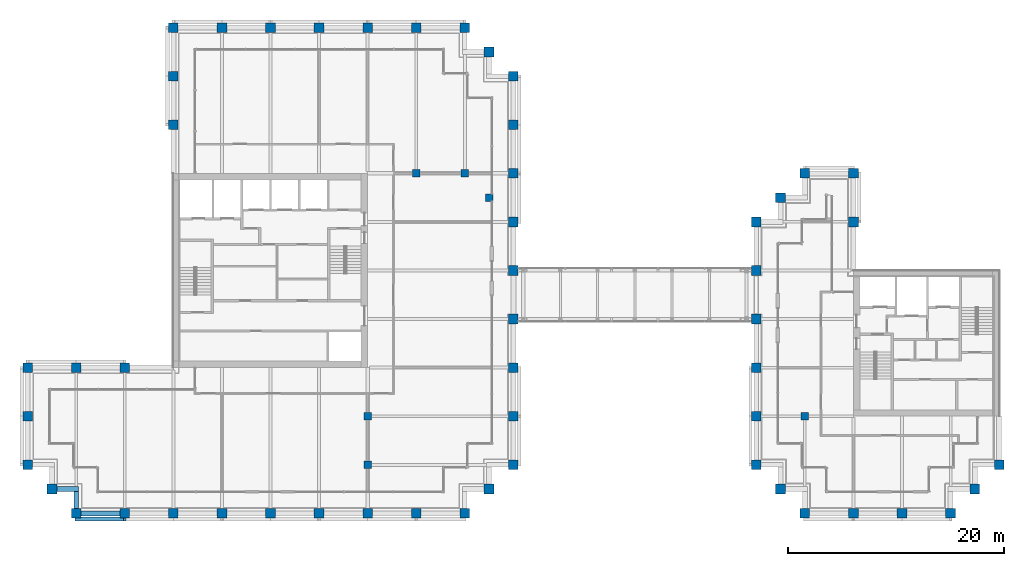
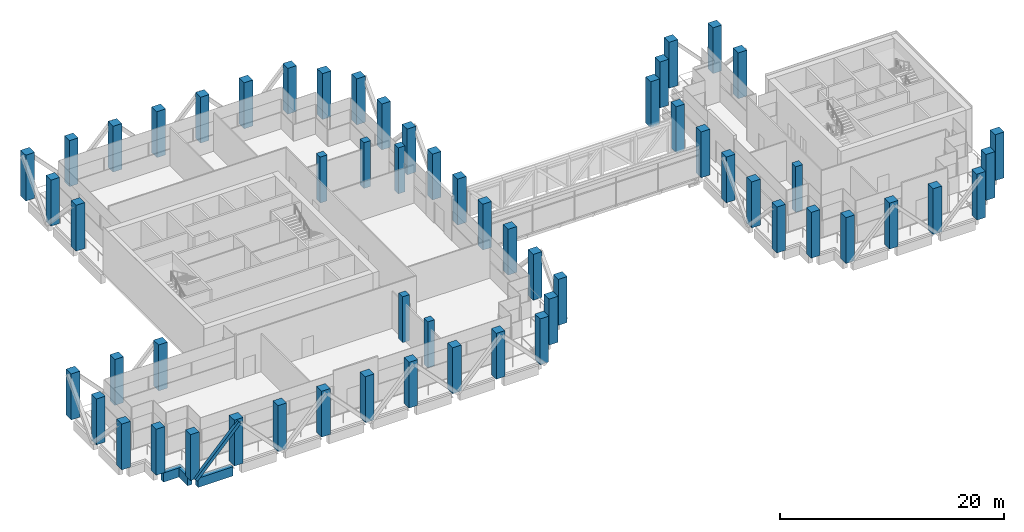
# One storey, part 1 of 34: 58 columns, 3 beams, 1 member.
"""IFC4 building model written with IfcOpenShell, lengths in metres."""

from ifc_helpers import new_model, si_unit, direction, frame, origin, origin_2d, place, context, subcontext, project, spatial, rectangle, hollow_rectangle, extrude, material, material_profile, profile_set, type_object, element, save


model = new_model("IFC4")

# Units and contexts
model_context = context("Model", 3, precision=1e-05, world=origin(), true_north=direction((0.0, 1.0)))
body_context = subcontext(model_context, "Body", "Model", "MODEL_VIEW")
ifc_project = project(units=[si_unit("LENGTHUNIT", "METRE"), si_unit("AREAUNIT", "SQUARE_METRE"), si_unit("VOLUMEUNIT", "CUBIC_METRE"), si_unit("PLANEANGLEUNIT", "RADIAN"), si_unit("MASSUNIT", "GRAM", prefix="KILO")], contexts=[model_context])

# Site, building, storey
site_placement = place(None, origin())
site = spatial("IfcSite", under=ifc_project, at=site_placement, CompositionType="ELEMENT")
building_placement = place(site_placement, origin())
building = spatial("IfcBuilding", under=site, at=building_placement, Name="Altepetl Exchange Towers", CompositionType="ELEMENT")
storey_placement = place(building_placement, frame((0.0, 0.0, 190.60009765625)))
storey = spatial("IfcBuildingStorey", under=building, at=storey_placement, Name="L48 Refuge", CompositionType="ELEMENT", Elevation=190.60009765625)

# Columns
ifc_material_1 = material(Name="Concrete C70/85", Category="concrete")
ifc_material_profile_1 = material_profile(ifc_material_1, rectangle(XDim=0.699951171875, YDim=0.699951171875, at=origin_2d()), Name="700 x 700")
ifc_profile_set_1 = profile_set([ifc_material_profile_1], Name="Concrete C70/85")
column_type_1 = type_object("IfcColumnType", Name="Interior column 700", PredefinedType="COLUMN", material=ifc_profile_set_1)
for number, where, name in (
    (1, (58.5, 31.5, 0.0), "col:A:L48:035"),
    (2, (58.5, 36.0, 0.0), "col:A:L48:036"),
    (3, (63.0, 58.5, 0.0), "col:A:L48:037"),
    (4, (67.5, 58.5, 0.0), "col:A:L48:038"),
    (5, (69.75, 56.25, 0.0), "col:A:L48:039"),
    (6, (99.0, 36.0, 0.0), "col:B:L48:017"),
):
    element("IfcColumn", number, at=place(storey_placement, frame(where)), inside=storey, type_object=column_type_1, Name=name, PredefinedType="COLUMN", context=body_context, shape_type="SweptSolid", body=[
        extrude(rectangle(XDim=0.699951171875, YDim=0.699951171875, at=origin_2d()), origin(), (0.0, 0.0, 1.0), 5.0),
    ])
ifc_material_2 = material(Name="Concrete C70/85 precast with cantera amarilla facing", Category="concrete")
ifc_material_profile_2 = material_profile(ifc_material_2, rectangle(XDim=0.89990234375, YDim=0.89990234375, at=origin_2d()), Name="900 x 900")
ifc_profile_set_2 = profile_set([ifc_material_profile_2], Name="Concrete C70/85 precast with cantera amarilla facing")
column_type_2 = type_object("IfcColumnType", Name="Perimeter column 900 cantera amarilla", PredefinedType="COLUMN", material=ifc_profile_set_2)
for number, where, name in (
    (7, (58.5, 27.0, 0.0), "col:A:L48:006"),
    (8, (63.0, 27.0, 0.0), "col:A:L48:007"),
    (9, (67.5, 27.0, 0.0), "col:A:L48:008"),
    (10, (69.75, 29.25, 0.0), "col:A:L48:009"),
    (11, (72.0, 31.5, 0.0), "col:A:L48:010"),
    (12, (72.0, 36.0, 0.0), "col:A:L48:011"),
    (13, (72.0, 40.5, 0.0), "col:A:L48:012"),
    (14, (72.0, 45.0, 0.0), "col:A:L48:013"),
    (15, (72.0, 49.5, 0.0), "col:A:L48:014"),
    (16, (72.0, 54.0, 0.0), "col:A:L48:015"),
):
    element("IfcColumn", number, at=place(storey_placement, frame(where)), inside=storey, type_object=column_type_2, Name=name, PredefinedType="COLUMN", context=body_context, shape_type="SweptSolid", body=[
        extrude(rectangle(XDim=0.89990234375, YDim=0.89990234375, at=origin_2d()), origin(), (0.0, 0.0, 1.0), 5.0),
    ])
ifc_material_3 = material(Name="Concrete C70/85 precast with cantera blanca facing", Category="concrete")
ifc_material_profile_3 = material_profile(ifc_material_3, rectangle(XDim=0.89990234375, YDim=0.89990234375, at=origin_2d()), Name="900 x 900")
ifc_profile_set_3 = profile_set([ifc_material_profile_3], Name="Concrete C70/85 precast with cantera blanca facing")
column_type_3 = type_object("IfcColumnType", Name="Perimeter column 900 cantera blanca", PredefinedType="COLUMN", material=ifc_profile_set_3)
for number, where, name in (
    (17, (31.5, 27.0, 0.0), "col:A:L48:000"),
    (18, (36.0, 27.0, 0.0), "col:A:L48:001"),
    (19, (40.5, 27.0, 0.0), "col:A:L48:002"),
    (20, (45.0, 27.0, 0.0), "col:A:L48:003"),
    (21, (49.5, 27.0, 0.0), "col:A:L48:004"),
    (22, (54.0, 27.0, 0.0), "col:A:L48:005"),
    (23, (27.0, 36.0, 0.0), "col:A:L48:032"),
    (24, (27.0, 31.5, 0.0), "col:A:L48:033"),
    (25, (29.25, 29.25, 0.0), "col:A:L48:034"),
    (26, (117.0, 31.5, 0.0), "col:B:L48:005"),
):
    element("IfcColumn", number, at=place(storey_placement, frame(where)), inside=storey, type_object=column_type_3, Name=name, PredefinedType="COLUMN", context=body_context, shape_type="SweptSolid", body=[
        extrude(rectangle(XDim=0.89990234375, YDim=0.89990234375, at=origin_2d()), origin(), (0.0, 0.0, 1.0), 5.0),
    ])
ifc_material_4 = material(Name="Concrete C70/85 precast with cantera rosa facing", Category="concrete")
ifc_material_profile_4 = material_profile(ifc_material_4, rectangle(XDim=0.89990234375, YDim=0.89990234375, at=origin_2d()), Name="900 x 900")
ifc_profile_set_4 = profile_set([ifc_material_profile_4], Name="Concrete C70/85 precast with cantera rosa facing")
column_type_4 = type_object("IfcColumnType", Name="Perimeter column 900 cantera rosa", PredefinedType="COLUMN", material=ifc_profile_set_4)
for number, where, name in (
    (27, (72.0, 58.5, 0.0), "col:A:L48:016"),
    (28, (72.0, 63.0, 0.0), "col:A:L48:017"),
    (29, (72.0, 67.5, 0.0), "col:A:L48:018"),
    (30, (69.75, 69.75, 0.0), "col:A:L48:019"),
    (31, (67.5, 72.0, 0.0), "col:A:L48:020"),
    (32, (63.0, 72.0, 0.0), "col:A:L48:021"),
    (33, (58.5, 72.0, 0.0), "col:A:L48:022"),
    (34, (54.0, 72.0, 0.0), "col:A:L48:023"),
    (35, (49.5, 72.0, 0.0), "col:A:L48:024"),
    (36, (45.0, 72.0, 0.0), "col:A:L48:025"),
    (37, (103.5, 54.0, 0.0), "col:B:L48:006"),
    (38, (103.5, 58.5, 0.0), "col:B:L48:007"),
    (39, (99.0, 58.5, 0.0), "col:B:L48:008"),
    (40, (96.75, 56.25, 0.0), "col:B:L48:009"),
    (41, (94.5, 54.0, 0.0), "col:B:L48:010"),
    (42, (94.5, 49.5, 0.0), "col:B:L48:011"),
    (43, (94.5, 45.0, 0.0), "col:B:L48:012"),
    (44, (94.5, 40.5, 0.0), "col:B:L48:013"),
    (45, (94.5, 36.0, 0.0), "col:B:L48:014"),
):
    element("IfcColumn", number, at=place(storey_placement, frame(where)), inside=storey, type_object=column_type_4, Name=name, PredefinedType="COLUMN", context=body_context, shape_type="SweptSolid", body=[
        extrude(rectangle(XDim=0.89990234375, YDim=0.89990234375, at=origin_2d()), origin(), (0.0, 0.0, 1.0), 5.0),
    ])
ifc_material_5 = material(Name="Concrete C70/85 precast with tezontle facing", Category="concrete")
ifc_material_profile_5 = material_profile(ifc_material_5, rectangle(XDim=0.89990234375, YDim=0.89990234375, at=origin_2d()), Name="900 x 900")
ifc_profile_set_5 = profile_set([ifc_material_profile_5], Name="Concrete C70/85 precast with tezontle facing")
column_type_5 = type_object("IfcColumnType", Name="Perimeter column 900 tezontle", PredefinedType="COLUMN", material=ifc_profile_set_5)
for number, where, name in (
    (46, (40.5, 72.0, 0.0), "col:A:L48:026"),
    (47, (40.5, 67.5, 0.0), "col:A:L48:027"),
    (48, (40.5, 63.0, 0.0), "col:A:L48:028"),
    (49, (36.0, 40.5, 0.0), "col:A:L48:029"),
    (50, (31.5, 40.5, 0.0), "col:A:L48:030"),
    (51, (27.0, 40.5, 0.0), "col:A:L48:031"),
    (52, (99.0, 27.0, 0.0), "col:B:L48:000"),
    (53, (103.5, 27.0, 0.0), "col:B:L48:001"),
    (54, (108.0, 27.0, 0.0), "col:B:L48:002"),
    (55, (112.5, 27.0, 0.0), "col:B:L48:003"),
    (56, (114.75, 29.25, 0.0), "col:B:L48:004"),
    (57, (94.5, 31.5, 0.0), "col:B:L48:015"),
    (58, (96.75, 29.25, 0.0), "col:B:L48:016"),
):
    element("IfcColumn", number, at=place(storey_placement, frame(where)), inside=storey, type_object=column_type_5, Name=name, PredefinedType="COLUMN", context=body_context, shape_type="SweptSolid", body=[
        extrude(rectangle(XDim=0.89990234375, YDim=0.89990234375, at=origin_2d()), origin(), (0.0, 0.0, 1.0), 5.0),
    ])

# Member
ifc_material_6 = material(Name="Steel S355", Category="steel")
ifc_material_profile_6 = material_profile(ifc_material_6, hollow_rectangle(XDim=0.35595703125, YDim=0.35595703125, WallThickness=0.014892578125, at=origin_2d()), Name="HSS356X356X15.9")
ifc_profile_set_6 = profile_set([ifc_material_profile_6], Name="Steel S355")
member_type = type_object("IfcMemberType", Name="Belt diagonal HSS356X356X15.9", PredefinedType="BRACE", material=ifc_profile_set_6)
member_placement = place(storey_placement, frame((31.5, 26.469970703125, 0.0), z_axis=(0.687744647911, 0.0, 0.725952683906), x_axis=(0.0, 1.0, 0.0)))
element("IfcMember", 59, at=member_placement, inside=storey, type_object=member_type, Name="brc:A:L48:000", PredefinedType="BRACE", context=body_context, shape_type="SweptSolid", body=[
    extrude(hollow_rectangle(XDim=0.35595703125, YDim=0.35595703125, WallThickness=0.014892578125, at=origin_2d()), origin(), (0.0, 0.0, 1.0), 6.543212890625),
])

# Beams
ifc_material_7 = material(Name="Concrete C50/60 precast with cantera blanca facing", Category="concrete")
ifc_material_profile_7 = material_profile(ifc_material_7, rectangle(XDim=0.449951171875, YDim=1.0, at=origin_2d()), Name="450 x 1000")
ifc_profile_set_7 = profile_set([ifc_material_profile_7], Name="Concrete C50/60 precast with cantera blanca facing")
beam_type = type_object("IfcBeamType", Name="Spandrel beam 450x1000 cantera blanca", PredefinedType="SPANDREL", material=ifc_profile_set_7)
beam_1_placement = place(storey_placement, frame((31.949951171875, 27.0, -0.7001953125), z_axis=(1.0, 0.0, 0.0), x_axis=(0.0, 1.0, 0.0)))
element("IfcBeam", 60, at=beam_1_placement, inside=storey, type_object=beam_type, Name="sp:A:L48:000", PredefinedType="SPANDREL", context=body_context, shape_type="SweptSolid", body=[
    extrude(rectangle(XDim=0.449951171875, YDim=1.0, at=origin_2d()), origin(), (0.0, 0.0, 1.0), 3.60009765625),
])
beam_2_placement = place(storey_placement, frame((29.699951171875, 29.25, -0.7001953125), z_axis=(1.0, 0.0, 0.0), x_axis=(0.0, 1.0, 0.0)))
element("IfcBeam", 61, at=beam_2_placement, inside=storey, type_object=beam_type, Name="sp:A:L48:040", PredefinedType="SPANDREL", context=body_context, shape_type="SweptSolid", body=[
    extrude(rectangle(XDim=0.449951171875, YDim=1.0, at=origin_2d()), origin(), (0.0, 0.0, 1.0), 2.025146484375),
])
beam_3_placement = place(storey_placement, frame((31.5, 29.02490234375, -0.7001953125), z_axis=(0.0, -1.0, 0.0), x_axis=(1.0, 0.0, 0.0)))
element("IfcBeam", 62, at=beam_3_placement, inside=storey, type_object=beam_type, Name="sp:A:L48:041", PredefinedType="SPANDREL", context=body_context, shape_type="SweptSolid", body=[
    extrude(rectangle(XDim=0.449951171875, YDim=1.0, at=origin_2d()), origin(), (0.0, 0.0, 1.0), 1.574951171875),
])

save(model, "model.ifc")
